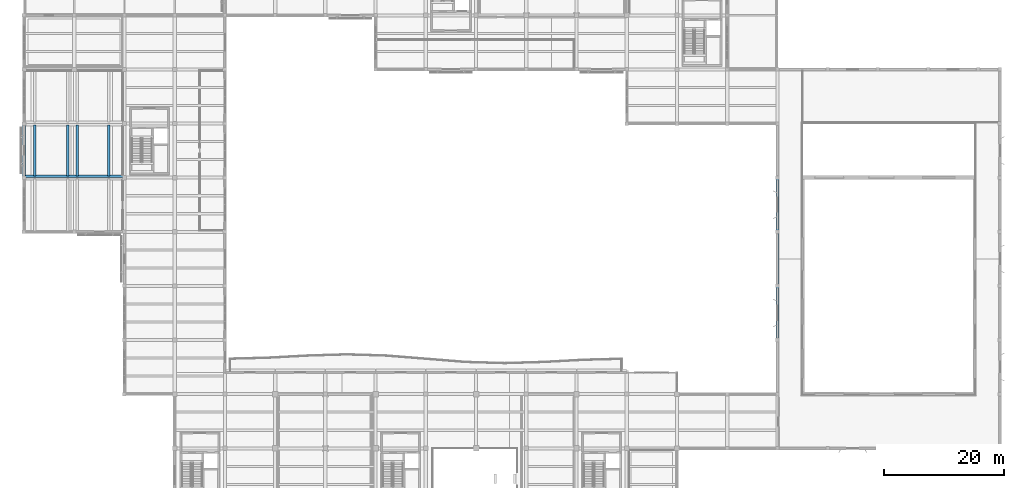
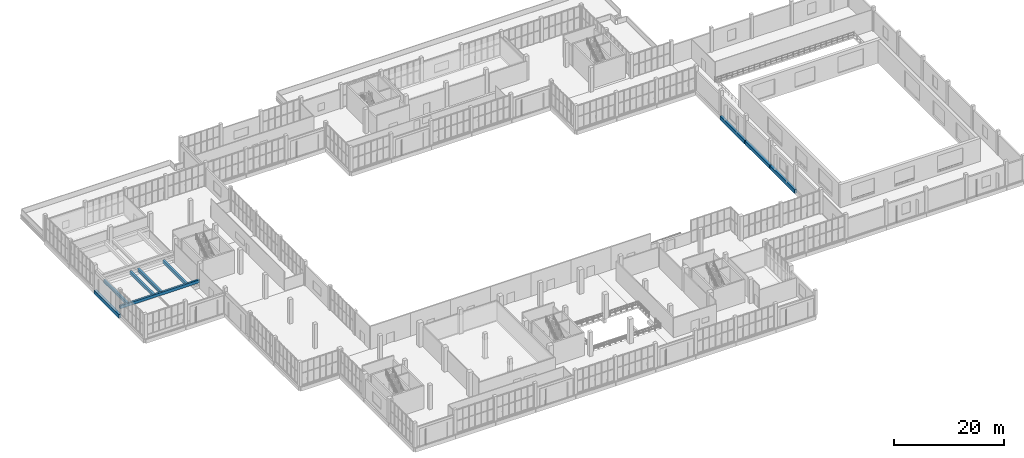
# One storey, part 43 of 132: 9 beams.
"""IFC4 building model written with IfcOpenShell, lengths in metres."""

import ifcopenshell
import ifcopenshell.guid

model = None  # the IFC model being written
_history = None  # IfcOwnerHistory: only IFC2X3 demands one
_inside = {}  # id of a spatial element -> (the spatial element, [elements in it])
_under = {}  # id of a project, library or spatial element -> (it, [spatial elements below it])
_declared = {}  # id of a project -> (the project, [libraries it declares])
_typed = {}  # id of a type object -> (the type object, [elements of that type])
_made_of = {}  # id of a material, layer set ... -> (it, [elements and type objects made of it])


def new_model(schema):
    """Start an empty IFC model of exactly this schema.

    Asked for "IFC4X3", IfcOpenShell would pick the latest addendum, in which some entities
    have other attributes; the version numbers below select the first issue.
    IFC2X3 requires an IfcOwnerHistory on every rooted entity: one is made here for all.
    """
    global model, _history
    if schema == "IFC4X3":
        model = ifcopenshell.file(schema_version=(4, 3, 0, 0))
    else:
        model = ifcopenshell.file(schema=schema)
    _inside.clear()
    _under.clear()
    _declared.clear()
    _typed.clear()
    _made_of.clear()
    _history = None
    if model.schema == "IFC2X3":
        org = make("IfcOrganization", Name="unknown")
        user = make(
            "IfcPersonAndOrganization",
            ThePerson=make("IfcPerson", FamilyName="unknown"),
            TheOrganization=org,
        )
        app = make(
            "IfcApplication",
            ApplicationDeveloper=org,
            Version="unknown",
            ApplicationFullName="unknown",
            ApplicationIdentifier="unknown",
        )
        _history = make(
            "IfcOwnerHistory",
            OwningUser=user,
            OwningApplication=app,
            ChangeAction="ADDED",
            CreationDate=0,
        )
    return model


def make(cls, **values):
    """One entity of the class cls with the attributes given. An attribute that is None is left unset."""
    return model.create_entity(
        cls, **{name: value for name, value in values.items() if value is not None}
    )


def rooted(cls, **values):
    """An entity with a GlobalId (a new one), such as an element, a storey or a relation."""
    return make(cls, GlobalId=ifcopenshell.guid.new(), OwnerHistory=_history, **values)


def si_unit(unit_type, name, prefix=None):
    """IfcSIUnit, for example si_unit("LENGTHUNIT", "METRE", prefix="MILLI")."""
    return make("IfcSIUnit", UnitType=unit_type, Prefix=prefix, Name=name)


def assignment(units):
    """IfcUnitAssignment: the units of a project."""
    return None if units is None else make("IfcUnitAssignment", Units=units)


def point(xyz):
    """IfcCartesianPoint."""
    return None if xyz is None else make("IfcCartesianPoint", Coordinates=xyz)


def direction(xyz):
    """IfcDirection."""
    return None if xyz is None else make("IfcDirection", DirectionRatios=xyz)


def frame(location, z_axis=None, x_axis=None):
    """IfcAxis2Placement3D, a coordinate frame: its origin and axes. An axis left out is left unset."""
    return make(
        "IfcAxis2Placement3D",
        Location=point(location),
        Axis=direction(z_axis),
        RefDirection=direction(x_axis),
    )


def frame_2d(location, x_axis=None):
    """IfcAxis2Placement2D, a coordinate frame in the plane: its origin and x axis."""
    return make(
        "IfcAxis2Placement2D", Location=point(location), RefDirection=direction(x_axis)
    )


def origin():
    """The frame at (0, 0, 0) with its axes left unset."""
    return frame((0.0, 0.0, 0.0))


def origin_2d():
    """The frame at (0, 0) in the plane with its x axis left unset."""
    return frame_2d((0.0, 0.0))


def place(relative_to, where):
    """IfcLocalPlacement: puts the frame where relative to a parent placement (None: the world)."""
    return make(
        "IfcLocalPlacement", PlacementRelTo=relative_to, RelativePlacement=where
    )


def context(
    kind, dimensions, precision=None, world=None, true_north=None, identifier=None
):
    """IfcGeometricRepresentationContext, for example the 3D "Model" context."""
    return make(
        "IfcGeometricRepresentationContext",
        ContextIdentifier=identifier,
        ContextType=kind,
        CoordinateSpaceDimension=dimensions,
        Precision=precision,
        WorldCoordinateSystem=world,
        TrueNorth=true_north,
    )


def subcontext(parent, identifier, kind, view, scale=None):
    """IfcGeometricRepresentationSubContext, for example "Body" below "Model"."""
    return make(
        "IfcGeometricRepresentationSubContext",
        ContextIdentifier=identifier,
        ContextType=kind,
        ParentContext=parent,
        TargetScale=scale,
        TargetView=view,
    )


def project(units=None, contexts=None):
    """IfcProject with its units and contexts."""
    return rooted(
        "IfcProject",
        Name="project",
        RepresentationContexts=contexts,
        UnitsInContext=assignment(units),
    )


def spatial(cls, under=None, at=None, **own):
    """A site, building, storey or space (cls), placed at a placement, below another one or the project."""
    s = rooted(cls, ObjectPlacement=at, **own)
    if under is not None:
        _under.setdefault(under.id(), (under, []))[1].append(s)
    return s


def profile(cls, at=None, kind="AREA", **sizes):
    """A parametric profile (cls). Its sizes go by their IFC names, for example OverallWidth=200.0."""
    return make(cls, ProfileType=kind, Position=at, **sizes)


def rectangle(**sizes):
    """IfcRectangleProfileDef."""
    return profile("IfcRectangleProfileDef", **sizes)


def extrude(swept, where, along, depth):
    """IfcExtrudedAreaSolid: the profile swept, set in the frame where, extruded along a direction by depth."""
    return make(
        "IfcExtrudedAreaSolid",
        SweptArea=swept,
        Position=where,
        ExtrudedDirection=direction(along),
        Depth=depth,
    )


def shape(context_of_items, identifier, shape_type, items):
    """IfcShapeRepresentation: the items that make up one representation, for example the "Body"."""
    return make(
        "IfcShapeRepresentation",
        ContextOfItems=context_of_items,
        RepresentationIdentifier=identifier,
        RepresentationType=shape_type,
        Items=items,
    )


def material(Name=None, Category=None):
    """IfcMaterial."""
    return make("IfcMaterial", Name=Name, Category=Category)


def material_profile(
    of_material, cross_section, Name=None, Category=None, Priority=None
):
    """IfcMaterialProfile: a cross section and its material."""
    return make(
        "IfcMaterialProfile",
        Name=Name,
        Material=of_material,
        Profile=cross_section,
        Priority=Priority,
        Category=Category,
    )


def profile_set(profiles, Name=None, composite=None):
    """IfcMaterialProfileSet."""
    return make(
        "IfcMaterialProfileSet",
        Name=Name,
        MaterialProfiles=profiles,
        CompositeProfile=composite,
    )


def made_of(thing, what):
    """Note that an element or type object is made of a material, layer set ...; save() writes the relation."""
    if what is not None:
        _made_of.setdefault(what.id(), (what, []))[1].append(thing)
    return thing


def type_object(cls, material=None, **own):
    """A type object (cls), such as IfcWallType, which elements share."""
    return made_of(rooted(cls, **own), material)


def element(
    cls,
    number,
    at=None,
    inside=None,
    cuts=None,
    type_object=None,
    material=None,
    context=None,
    identifier="Body",
    shape_type=None,
    held_by="IfcProductDefinitionShape",
    body=None,
    shapes=None,
    **own,
):
    """One element of the class cls, such as IfcWall. Its Tag is "e" and its number.

    at: its placement. inside: the storey or other place that contains it. cuts: it is an
    opening in that element (IfcRelVoidsElement). A single representation is given by context,
    identifier, shape_type and body (its items); several are given by shapes. held_by: the class
    of the entity that holds the representations. save() writes the other relations.
    """
    e = rooted(cls, Tag="e%d" % number, ObjectPlacement=at, **own)
    if body is not None:
        shapes = [shape(context, identifier, shape_type, body)]
    if shapes is not None:
        e.Representation = make(held_by, Representations=shapes)
    if inside is not None:
        _inside.setdefault(inside.id(), (inside, []))[1].append(e)
    if cuts is not None:
        rooted(
            "IfcRelVoidsElement", RelatingBuildingElement=cuts, RelatedOpeningElement=e
        )
    if type_object is not None:
        _typed.setdefault(type_object.id(), (type_object, []))[1].append(e)
    return made_of(e, material)


def aggregate(whole, parts):
    """IfcRelAggregates: a whole, such as a stair, and the parts it consists of."""
    return rooted("IfcRelAggregates", RelatingObject=whole, RelatedObjects=parts)


def save(model, path):
    """Write the relations noted so far, then the file.

    IfcRelAggregates (storeys below a building ...), IfcRelContainedInSpatialStructure (elements
    in a storey), IfcRelDefinesByType, IfcRelAssociatesMaterial and IfcRelDeclares: one each for
    every whole, place, type object, material and project.
    """
    for whole, parts in _under.values():
        aggregate(whole, parts)
    for where, things in _inside.values():
        rooted(
            "IfcRelContainedInSpatialStructure",
            RelatedElements=things,
            RelatingStructure=where,
        )
    for kind, things in _typed.values():
        rooted("IfcRelDefinesByType", RelatedObjects=things, RelatingType=kind)
    for what, things in _made_of.values():
        rooted("IfcRelAssociatesMaterial", RelatedObjects=things, RelatingMaterial=what)
    for by, libraries in _declared.values():
        rooted("IfcRelDeclares", RelatingContext=by, RelatedDefinitions=libraries)
    model.write(path)


model = new_model("IFC4")

# Units and contexts
model_context = context("Model", 3, precision=1e-05, world=origin(), true_north=direction((0.0, 1.0)))
body_context = subcontext(model_context, "Body", "Model", "MODEL_VIEW")
ifc_project = project(units=[si_unit("LENGTHUNIT", "METRE"), si_unit("AREAUNIT", "SQUARE_METRE"), si_unit("VOLUMEUNIT", "CUBIC_METRE"), si_unit("PLANEANGLEUNIT", "RADIAN"), si_unit("MASSUNIT", "GRAM", prefix="KILO")], contexts=[model_context])

# Site, building, storey
site_placement = place(None, origin())
site = spatial("IfcSite", under=ifc_project, at=site_placement, CompositionType="ELEMENT")
building_placement = place(site_placement, origin())
building = spatial("IfcBuilding", under=site, at=building_placement, Name="Khurvash Pelagic Aquarium", CompositionType="ELEMENT")
storey_placement = place(building_placement, frame((0.0, 0.0, 5.39990234375)))
storey = spatial("IfcBuildingStorey", under=building, at=storey_placement, Name="L01", CompositionType="ELEMENT", Elevation=5.39990234375)

# Beams
ifc_material_1 = material(Name="Concrete C35/45", Category="concrete")
ifc_material_profile_1 = material_profile(ifc_material_1, rectangle(XDim=0.39990234375, YDim=0.64990234375, at=origin_2d()), Name="RC400X650")
ifc_profile_set_1 = profile_set([ifc_material_profile_1], Name="Concrete C35/45")
beam_type_1 = type_object("IfcBeamType", Name="BM-05", PredefinedType="BEAM", material=ifc_profile_set_1)
beam_1_placement = place(storey_placement, frame((0.0400390625, 66.169921875, 1.18505859375), z_axis=(1.0, 0.0, 0.0), x_axis=(0.0, 1.0, 0.0)))
element("IfcBeam", 1, at=beam_1_placement, inside=storey, type_object=beam_type_1, Name="L01 Auditorium Seating Tier Girder BM-05 2", PredefinedType="BEAM", context=body_context, shape_type="SweptSolid", body=[
    extrude(rectangle(XDim=0.39990234375, YDim=0.64990234375, at=origin_2d()), origin(), (0.0, 0.0, 1.0), 16.719970703125),
])
for number, where, z_axis, x_axis, name in (
    (2, (1.800048828125, 66.199951171875, 1.18505859375), (0.0, 1.0, 0.0), (-1.0, 0.0, 0.0), "L01 Auditorium Tier Stringer Beam BM-05"),
    (3, (7.300048828125, 66.199951171875, 1.18505859375), (0.0, 1.0, 0.0), (-1.0, 0.0, 0.0), "L01 Auditorium Tier Stringer Beam BM-05"),
    (4, (8.89990234375, 66.199951171875, 1.18505859375), (0.0, 1.0, 0.0), (-1.0, 0.0, 0.0), "L01 Auditorium Tier Stringer Beam BM-05"),
    (5, (14.199951171875, 66.199951171875, 1.18505859375), (0.0, 1.0, 0.0), (-1.0, 0.0, 0.0), "L01 Auditorium Tier Stringer Beam BM-05"),
):
    element("IfcBeam", number, at=place(storey_placement, frame(where, z_axis=z_axis, x_axis=x_axis)), inside=storey, type_object=beam_type_1, Name=name, PredefinedType="BEAM", context=body_context, shape_type="SweptSolid", body=[
        extrude(rectangle(XDim=0.39990234375, YDim=0.64990234375, at=origin_2d()), origin(), (0.0, 0.0, 1.0), 8.550048828125),
    ])
ifc_material_2 = material(Name="Concrete C40/50", Category="concrete")
ifc_material_profile_2 = material_profile(ifc_material_2, rectangle(XDim=0.5, YDim=0.85009765625, at=origin_2d()), Name="RC500X850")
ifc_profile_set_2 = profile_set([ifc_material_profile_2], Name="Concrete C40/50")
beam_type_2 = type_object("IfcBeamType", Name="SEB-03", PredefinedType="SPANDREL", material=ifc_profile_set_2)
for number, where, z_axis, x_axis, name in (
    (6, (0.0, 65.989990234375, -0.73486328125), (0.0, 1.0, 0.0), (-1.0, 0.0, 0.0), "L01 Primary Girder SEB-03 00348"),
    (7, (126.0, 38.840087890625, -0.73486328125), (0.0, 1.0, 0.0), (-1.0, 0.0, 0.0), "L01 Primary Girder SEB-03 00430"),
):
    element("IfcBeam", number, at=place(storey_placement, frame(where, z_axis=z_axis, x_axis=x_axis)), inside=storey, type_object=beam_type_2, Name=name, PredefinedType="SPANDREL", context=body_context, shape_type="SweptSolid", body=[
        extrude(rectangle(XDim=0.5, YDim=0.85009765625, at=origin_2d()), origin(), (0.0, 0.0, 1.0), 8.969970703125),
    ])
beam_2_placement = place(storey_placement, frame((126.0, 47.889892578125, -0.73486328125), z_axis=(0.0, 1.0, 0.0), x_axis=(-1.0, 0.0, 0.0)))
element("IfcBeam", 8, at=beam_2_placement, inside=storey, type_object=beam_type_2, Name="L01 Primary Girder SEB-03 00431", PredefinedType="SPANDREL", context=body_context, shape_type="SweptSolid", body=[
    extrude(rectangle(XDim=0.5, YDim=0.85009765625, at=origin_2d()), origin(), (0.0, 0.0, 1.0), 8.97021484375),
])
beam_3_placement = place(storey_placement, frame((126.0, 56.93994140625, -0.73486328125), z_axis=(0.0, 1.0, 0.0), x_axis=(-1.0, 0.0, 0.0)))
element("IfcBeam", 9, at=beam_3_placement, inside=storey, type_object=beam_type_2, Name="L01 Primary Girder SEB-03 00432", PredefinedType="SPANDREL", context=body_context, shape_type="SweptSolid", body=[
    extrude(rectangle(XDim=0.5, YDim=0.85009765625, at=origin_2d()), origin(), (0.0, 0.0, 1.0), 8.969970703125),
])

save(model, "model.ifc")
